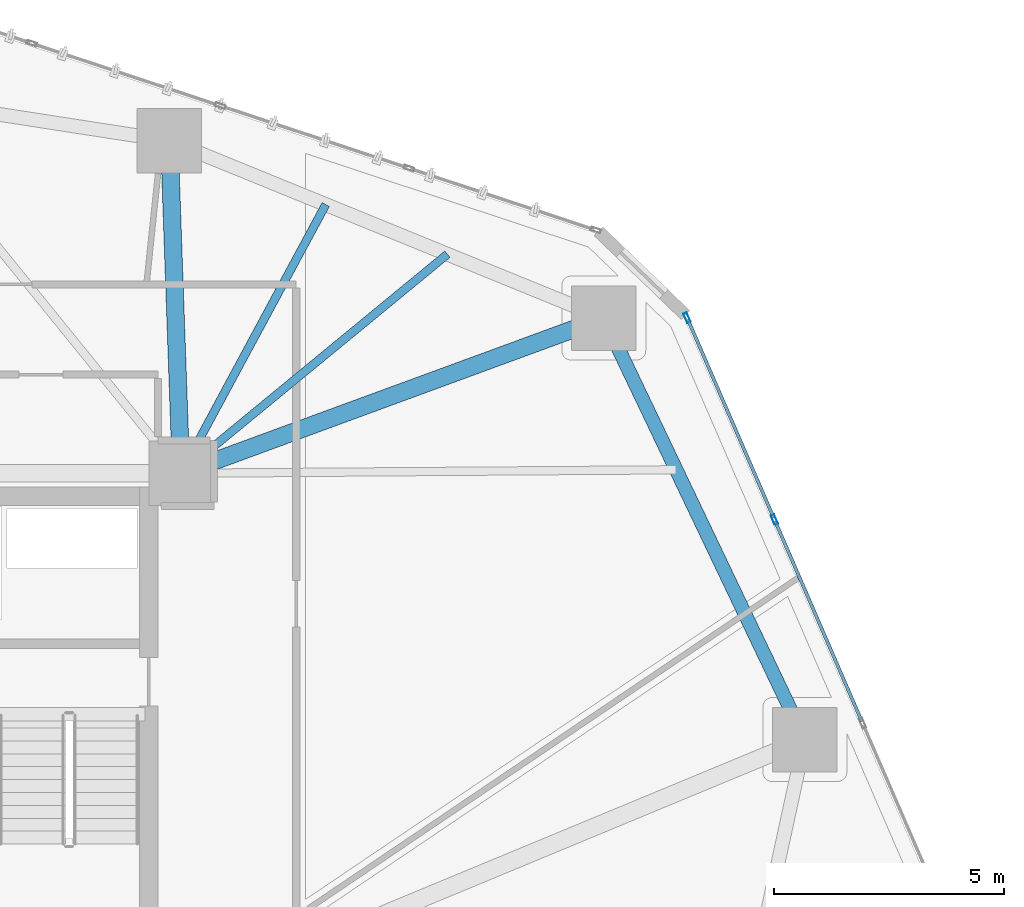
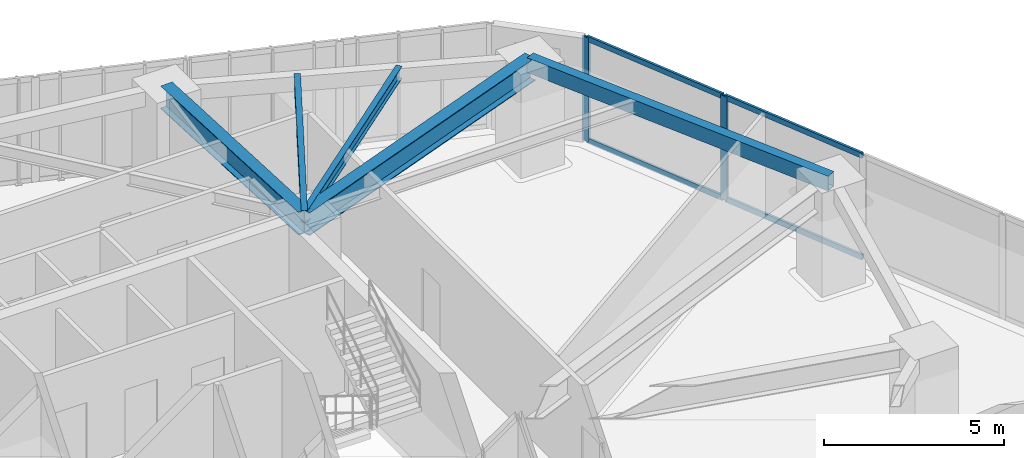
# One storey, part 12 of 23: 6 members, 5 beams, 1 element without a shape of its own.
"""IFC4 building model written with IfcOpenShell, lengths in metres."""

from ifc_helpers import new_model, si_unit, direction, frame, origin, origin_2d, place, context, subcontext, project, spatial, hollow_rectangle, i_section, extrude, source, transform, mapped, material, layer, layer_set, material_profile, profile_set, type_object, type_shapes, element, aggregate, save


model = new_model("IFC4")

# Units and contexts
model_context = context("Model", 3, precision=1e-05, world=origin(), true_north=direction((0.0, 1.0)))
body_context = subcontext(model_context, "Body", "Model", "MODEL_VIEW")
ifc_project = project(units=[si_unit("LENGTHUNIT", "METRE"), si_unit("AREAUNIT", "SQUARE_METRE"), si_unit("VOLUMEUNIT", "CUBIC_METRE"), si_unit("PLANEANGLEUNIT", "RADIAN"), si_unit("MASSUNIT", "GRAM", prefix="KILO")], contexts=[model_context])

# Site, building, storey
site_placement = place(None, origin())
site = spatial("IfcSite", under=ifc_project, at=site_placement, CompositionType="ELEMENT")
building_placement = place(site_placement, origin())
building = spatial("IfcBuilding", under=site, at=building_placement, Name="Talar Marvaseh", CompositionType="ELEMENT")
storey_placement = place(building_placement, frame((0.0, 0.0, 35.39990234375)))
storey = spatial("IfcBuildingStorey", under=building, at=storey_placement, Name="L08", CompositionType="ELEMENT", Elevation=35.39990234375)

# Beams
ifc_material_1 = material(Name="Steel S355", Category="steel")
ifc_material_profile_1 = material_profile(ifc_material_1, hollow_rectangle(XDim=0.300048828125, YDim=0.5, WallThickness=0.02001953125, at=origin_2d()), Name="RHS500x300x20")
ifc_profile_set_1 = profile_set([ifc_material_profile_1], Name="Steel S355")
beam_type_1 = type_object("IfcBeamType", Name="Zone 1 Perimeter Spandrel Beam RHS500x300x20", PredefinedType="SPANDREL", material=ifc_profile_set_1)
beam_1_placement = place(storey_placement, frame((42.47705078125, 40.26904296875, 3.27001953125), z_axis=(0.430480372911, -0.902599938255, 0.0), x_axis=(0.902599938255, 0.430480372911, 0.0)))
element("IfcBeam", 1, at=beam_1_placement, inside=storey, type_object=beam_type_1, Name="L08 Zone 1 Perimeter Spandrel Beam RHS500x300x20", PredefinedType="SPANDREL", context=body_context, shape_type="SweptSolid", body=[
    extrude(hollow_rectangle(XDim=0.300048828125, YDim=0.5, WallThickness=0.02001953125, at=origin_2d()), origin(), (0.0, 0.0, 1.0), 10.137451171875),
])
ifc_material_profile_2 = material_profile(ifc_material_1, i_section(OverallWidth=0.381103515625, OverallDepth=0.77294921875, WebThickness=0.0166015625, FlangeThickness=0.027099609375, at=origin_2d()), Name="W760x257")
ifc_profile_set_2 = profile_set([ifc_material_profile_2], Name="Steel S355")
beam_type_2 = type_object("IfcBeamType", Name="Zone 1 Radial Floor Girder W760x257", PredefinedType="BEAM", material=ifc_profile_set_2)
beam_2_placement = place(storey_placement, frame((42.47705078125, 40.26904296875, 3.133544921875), z_axis=(-0.938736057616, -0.344636930887, 0.0), x_axis=(0.344636930887, -0.938736057616, 0.0)))
element("IfcBeam", 2, at=beam_2_placement, inside=storey, type_object=beam_type_2, Name="L08 Zone 1 Radial Floor Girder W760x257", PredefinedType="BEAM", context=body_context, shape_type="SweptSolid", body=[
    extrude(i_section(OverallWidth=0.381103515625, OverallDepth=0.77294921875, WebThickness=0.0166015625, FlangeThickness=0.027099609375, at=origin_2d()), origin(), (0.0, 0.0, 1.0), 9.77587890625),
])
beam_3_placement = place(storey_placement, frame((33.0458984375, 44.117919921875, 3.133544921875), z_axis=(0.03518874657, -0.999380684281, 0.0), x_axis=(0.999380684281, 0.03518874657, 0.0)))
element("IfcBeam", 3, at=beam_3_placement, inside=storey, type_object=beam_type_2, Name="L08 Zone 1 Radial Floor Girder W760x257", PredefinedType="BEAM", context=body_context, shape_type="SweptSolid", body=[
    extrude(i_section(OverallWidth=0.381103515625, OverallDepth=0.77294921875, WebThickness=0.0166015625, FlangeThickness=0.027099609375, at=origin_2d()), origin(), (0.0, 0.0, 1.0), 7.222412109375),
])
ifc_material_profile_3 = material_profile(ifc_material_1, i_section(OverallWidth=0.179931640625, OverallDepth=0.4130859375, WebThickness=0.009765625, FlangeThickness=0.01611328125, at=origin_2d()), Name="W410x75")
ifc_profile_set_3 = profile_set([ifc_material_profile_3], Name="Steel S355")
beam_type_3 = type_object("IfcBeamType", Name="Zone 1 Secondary Floor Joist W410x75", PredefinedType="JOIST", material=ifc_profile_set_3)
beam_4_placement = place(storey_placement, frame((36.441162109375, 42.732421875, 3.3134765625), z_axis=(-0.474161357627, -0.880437963137, 0.0), x_axis=(0.880437963137, -0.474161357627, 0.0)))
element("IfcBeam", 4, at=beam_4_placement, inside=storey, type_object=beam_type_3, Name="L08 Zone 1 Secondary Floor Joist W410x75", PredefinedType="JOIST", context=body_context, shape_type="SweptSolid", body=[
    extrude(i_section(OverallWidth=0.179931640625, OverallDepth=0.4130859375, WebThickness=0.009765625, FlangeThickness=0.01611328125, at=origin_2d()), origin(), (0.0, 0.0, 1.0), 6.62451171875),
])
beam_5_placement = place(storey_placement, frame((39.081787109375, 41.654541015625, 3.3134765625), z_axis=(-0.772375351123, -0.635166369526, 0.0), x_axis=(0.635166369526, -0.772375351123, 0.0)))
element("IfcBeam", 5, at=beam_5_placement, inside=storey, type_object=beam_type_3, Name="L08 Zone 1 Secondary Floor Joist W410x75", PredefinedType="JOIST", context=body_context, shape_type="SweptSolid", body=[
    extrude(i_section(OverallWidth=0.179931640625, OverallDepth=0.4130859375, WebThickness=0.009765625, FlangeThickness=0.01611328125, at=origin_2d()), origin(), (0.0, 0.0, 1.0), 7.485595703125),
])

# Curtain wall, members
ifc_material_2 = material(Name="Architectural Aluminium", Category="aluminium")
ifc_layer = layer(ifc_material_2, 0.219970703125)
ifc_layer_set = layer_set([ifc_layer], Name="Architectural Aluminium")
curtain_wall_type = type_object("IfcCurtainWallType", Name="Unitised Low-E Museum Curtain Wall Z1", PredefinedType="NOTDEFINED", material=ifc_layer_set)
curtain_wall_placement = place(storey_placement, origin())
curtain_wall = element("IfcCurtainWall", 6, at=curtain_wall_placement, inside=storey, type_object=curtain_wall_type, Name="L08 Unitised Low-E Museum Curtain Wall Z1", PredefinedType="NOTDEFINED")
ifc_material_profile_4 = material_profile(ifc_material_2, hollow_rectangle(XDim=0.080078125, YDim=0.219970703125, WallThickness=0.0048828125, at=origin_2d()), Name="RHS220x80x5")
ifc_profile_set_4 = profile_set([ifc_material_profile_4], Name="Architectural Aluminium")
member_type_1 = type_object("IfcMemberType", Name="Unitised Curtain Wall Heavy Mullion RHS220x80x5", PredefinedType="MULLION", material=ifc_profile_set_4)
shared_shape_1 = source(origin(), body_context, "Body", "SweptSolid", [
    extrude(hollow_rectangle(XDim=0.080078125, YDim=0.219970703125, WallThickness=0.0048828125, at=origin_2d()), origin(), (0.0, 0.0, 1.0), 3.52001953125),
])
type_shapes(member_type_1, [shared_shape_1])
member_1_placement = place(storey_placement, frame((44.283447265625, 40.277587890625, 0.0), z_axis=(0.0, 0.0, 1.0), x_axis=(0.917727793026, 0.397209891503, 0.0)))
member_1 = element("IfcMember", 7, at=member_1_placement, type_object=member_type_1, Name="CW-Z1 mullion 1", PredefinedType="MULLION", context=body_context, shape_type="MappedRepresentation", body=[
    mapped(shared_shape_1, transform((0.0, 0.0, 0.0), x_axis=(1.0, 0.0, 0.0), y_axis=(0.0, 1.0, 0.0), z_axis=(0.0, 0.0, 1.0), scale=1.0)),
])
member_2_placement = place(storey_placement, frame((46.180908203125, 35.89404296875, 0.0), z_axis=(0.0, 0.0, 1.0), x_axis=(0.917727793026, 0.397209891503, 0.0)))
member_2 = element("IfcMember", 8, at=member_2_placement, type_object=member_type_1, Name="CW-Z1 mullion 2", PredefinedType="MULLION", context=body_context, shape_type="MappedRepresentation", body=[
    mapped(shared_shape_1, transform((0.0, 0.0, 0.0), x_axis=(1.0, 0.0, 0.0), y_axis=(0.0, 1.0, 0.0), z_axis=(0.0, 0.0, 1.0), scale=1.0)),
])
ifc_material_profile_5 = material_profile(ifc_material_2, hollow_rectangle(XDim=0.074951171875, YDim=0.179931640625, WallThickness=0.0048828125, at=origin_2d()), Name="RHS180x75x5")
ifc_profile_set_5 = profile_set([ifc_material_profile_5], Name="Architectural Aluminium")
member_type_2 = type_object("IfcMemberType", Name="Unitised Curtain Wall Transom RHS180x75x5", PredefinedType="USERDEFINED", material=ifc_profile_set_5)
shared_shape_2 = source(origin(), body_context, "Body", "SweptSolid", [
    extrude(hollow_rectangle(XDim=0.074951171875, YDim=0.179931640625, WallThickness=0.0048828125, at=origin_2d()), origin(), (0.0, 0.0, 1.0), 4.69677734375),
])
member_3_placement = place(storey_placement, frame((44.29931640625, 40.240966796875, 0.03759765625), z_axis=(0.397191641024, -0.917735691962, 0.0), x_axis=(0.917735691962, 0.397191641024, 0.0)))
member_3 = element("IfcMember", 9, at=member_3_placement, type_object=member_type_2, Name="CW-Z1 transom 1.1", ObjectType="TRANSOM", PredefinedType="USERDEFINED", context=body_context, shape_type="MappedRepresentation", body=[
    mapped(shared_shape_2, transform((0.0, 0.0, 0.0), x_axis=(1.0, 0.0, 0.0), y_axis=(0.0, 1.0, 0.0), z_axis=(0.0, 0.0, 1.0), scale=1.0)),
])
member_4_placement = place(storey_placement, frame((44.29931640625, 40.240966796875, 3.482666015625), z_axis=(0.397191641024, -0.917735691962, 0.0), x_axis=(0.917735691962, 0.397191641024, 0.0)))
member_4 = element("IfcMember", 10, at=member_4_placement, type_object=member_type_2, Name="CW-Z1 transom 1.2", ObjectType="TRANSOM", PredefinedType="USERDEFINED", context=body_context, shape_type="MappedRepresentation", body=[
    mapped(shared_shape_2, transform((0.0, 0.0, 0.0), x_axis=(1.0, 0.0, 0.0), y_axis=(0.0, 1.0, 0.0), z_axis=(0.0, 0.0, 1.0), scale=1.0)),
])
shared_shape_3 = source(origin(), body_context, "Body", "SweptSolid", [
    extrude(hollow_rectangle(XDim=0.074951171875, YDim=0.179931640625, WallThickness=0.0048828125, at=origin_2d()), origin(), (0.0, 0.0, 1.0), 4.736572265625),
])
type_shapes(member_type_2, [shared_shape_2, shared_shape_3])
member_5_placement = place(storey_placement, frame((46.19677734375, 35.857177734375, 0.03759765625), z_axis=(0.397195144966, -0.917734175464, 0.0), x_axis=(0.917734175464, 0.397195144966, 0.0)))
member_5 = element("IfcMember", 11, at=member_5_placement, type_object=member_type_2, Name="CW-Z1 transom 2.1", ObjectType="TRANSOM", PredefinedType="USERDEFINED", context=body_context, shape_type="MappedRepresentation", body=[
    mapped(shared_shape_3, transform((0.0, 0.0, 0.0), x_axis=(1.0, 0.0, 0.0), y_axis=(0.0, 1.0, 0.0), z_axis=(0.0, 0.0, 1.0), scale=1.0)),
])
member_6_placement = place(storey_placement, frame((46.19677734375, 35.857177734375, 3.482666015625), z_axis=(0.397195144966, -0.917734175464, 0.0), x_axis=(0.917734175464, 0.397195144966, 0.0)))
member_6 = element("IfcMember", 12, at=member_6_placement, type_object=member_type_2, Name="CW-Z1 transom 2.2", ObjectType="TRANSOM", PredefinedType="USERDEFINED", context=body_context, shape_type="MappedRepresentation", body=[
    mapped(shared_shape_3, transform((0.0, 0.0, 0.0), x_axis=(1.0, 0.0, 0.0), y_axis=(0.0, 1.0, 0.0), z_axis=(0.0, 0.0, 1.0), scale=1.0)),
])
aggregate(curtain_wall, [member_1, member_2, member_3, member_4, member_5, member_6])

save(model, "model.ifc")
